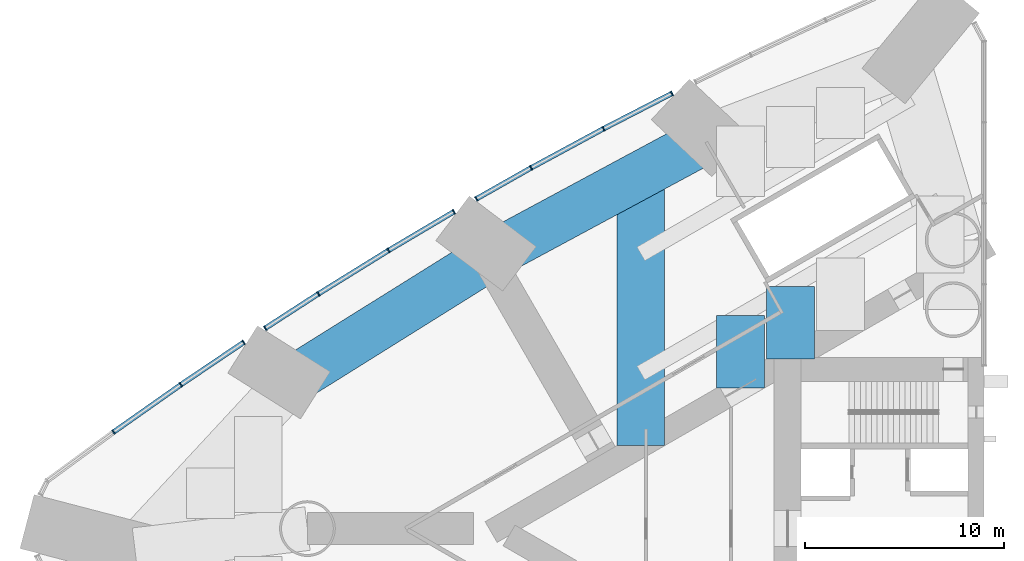
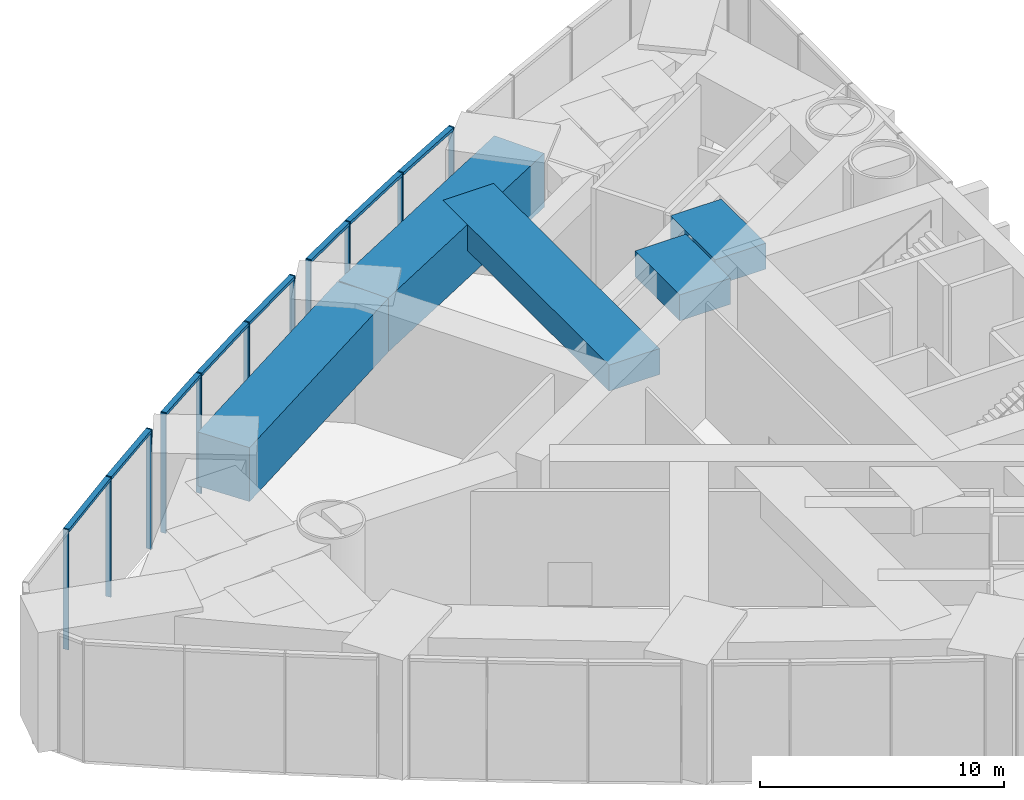
# One storey, part 5 of 18: 19 members, 5 beams, 3 elements without a shape of their own.
"""IFC4 building model written with IfcOpenShell, lengths in metres."""

from ifc_helpers import new_model, si_unit, direction, frame, origin, origin_2d, place, context, subcontext, project, spatial, rectangle, extrude, material, material_profile, profile_set, type_object, element, aggregate, save


model = new_model("IFC4")

# Units and contexts
model_context = context("Model", 3, precision=1e-05, world=origin(), true_north=direction((0.0, 1.0)))
body_context = subcontext(model_context, "Body", "Model", "MODEL_VIEW")
ifc_project = project(units=[si_unit("LENGTHUNIT", "METRE"), si_unit("AREAUNIT", "SQUARE_METRE"), si_unit("VOLUMEUNIT", "CUBIC_METRE"), si_unit("PLANEANGLEUNIT", "RADIAN"), si_unit("MASSUNIT", "GRAM", prefix="KILO")], contexts=[model_context])

# Site, building, storey
site_placement = place(None, origin())
site = spatial("IfcSite", under=ifc_project, at=site_placement, CompositionType="ELEMENT")
building_placement = place(site_placement, origin())
building = spatial("IfcBuilding", under=site, at=building_placement, Name="Lancet Gate Hotel", CompositionType="ELEMENT")
storey_placement = place(building_placement, frame((0.0, 0.0, 81.0)))
storey = spatial("IfcBuildingStorey", under=building, at=storey_placement, Name="L21", CompositionType="ELEMENT", Elevation=81.0)

# Curtain wall, members
ifc_material_1 = material(Name="Aluminium curtain wall", Category="aluminium")
curtain_wall_type = type_object("IfcCurtainWallType", Name="Refuge storey louvred curtain wall", PredefinedType="USERDEFINED", material=ifc_material_1)
curtain_wall_1_placement = place(storey_placement, origin())
curtain_wall_1 = element("IfcCurtainWall", 1, at=curtain_wall_1_placement, inside=storey, type_object=curtain_wall_type, Name="T1 L21 curtain wall 3", ObjectType="LANTERN GLAZING", PredefinedType="USERDEFINED")
ifc_material_2 = material(Name="Aluminium mullion", Category="aluminium")
ifc_material_profile_1 = material_profile(ifc_material_2, rectangle(XDim=0.06494140625, YDim=0.25, at=origin_2d()), Name="MULLION 65x250")
ifc_profile_set_1 = profile_set([ifc_material_profile_1], Name="Aluminium mullion")
member_type_1 = type_object("IfcMemberType", Name="Aluminium mullion 65x250", PredefinedType="MULLION", material=ifc_profile_set_1)
member_1_placement = place(storey_placement, frame((-43.188232421875, 21.864990234375, 0.0), z_axis=(0.0, 0.0, 1.0), x_axis=(-0.888844019644, -0.458209895946, 0.0)))
member_1 = element("IfcMember", 2, at=member_1_placement, type_object=member_type_1, Name="T1 L21 curtain wall 3 mullion 1", PredefinedType="MULLION", context=body_context, shape_type="SweptSolid", body=[
    extrude(rectangle(XDim=0.06494140625, YDim=0.25, at=origin_2d()), origin(), (0.0, 0.0, 1.0), 6.0),
])
member_2_placement = place(storey_placement, frame((-46.6220703125, 20.094970703125, 0.0), z_axis=(0.0, 0.0, 1.0), x_axis=(-0.884152609717, -0.467198204974, 0.0)))
member_2 = element("IfcMember", 3, at=member_2_placement, type_object=member_type_1, Name="T1 L21 curtain wall 3 mullion 2", PredefinedType="MULLION", context=body_context, shape_type="SweptSolid", body=[
    extrude(rectangle(XDim=0.06494140625, YDim=0.25, at=origin_2d()), origin(), (0.0, 0.0, 1.0), 6.0),
])
member_3_placement = place(storey_placement, frame((-50.26416015625, 18.1259765625, 0.0), z_axis=(0.0, 0.0, 1.0), x_axis=(-0.875625106041, -0.482991380534, 0.0)))
member_3 = element("IfcMember", 4, at=member_3_placement, type_object=member_type_1, Name="T1 L21 curtain wall 3 mullion 3", PredefinedType="MULLION", context=body_context, shape_type="SweptSolid", body=[
    extrude(rectangle(XDim=0.06494140625, YDim=0.25, at=origin_2d()), origin(), (0.0, 0.0, 1.0), 6.0),
])
member_4_placement = place(storey_placement, frame((-53.0166015625, 16.567626953125, 0.0), z_axis=(0.0, 0.0, 1.0), x_axis=(-0.870204720871, -0.492690312238, 0.0)))
member_4 = element("IfcMember", 5, at=member_4_placement, type_object=member_type_1, Name="T1 L21 curtain wall 3 mullion 4", PredefinedType="MULLION", context=body_context, shape_type="SweptSolid", body=[
    extrude(rectangle(XDim=0.06494140625, YDim=0.25, at=origin_2d()), origin(), (0.0, 0.0, 1.0), 6.0),
])

curtain_wall_2_placement = place(storey_placement, origin())
curtain_wall_2 = element("IfcCurtainWall", 6, at=curtain_wall_2_placement, inside=storey, type_object=curtain_wall_type, Name="T1 L21 curtain wall 4", ObjectType="LANTERN GLAZING", PredefinedType="USERDEFINED")
member_5_placement = place(storey_placement, frame((-54.138916015625, 15.925048828125, 0.0), z_axis=(0.0, 0.0, 1.0), x_axis=(-0.860381857795, -0.509649937484, 0.0)))
member_5 = element("IfcMember", 7, at=member_5_placement, type_object=member_type_1, Name="T1 L21 curtain wall 4 mullion 1", PredefinedType="MULLION", context=body_context, shape_type="SweptSolid", body=[
    extrude(rectangle(XDim=0.06494140625, YDim=0.25, at=origin_2d()), origin(), (0.0, 0.0, 1.0), 6.0),
])
member_6_placement = place(storey_placement, frame((-57.42919921875, 13.97607421875, 0.0), z_axis=(0.0, 0.0, 1.0), x_axis=(-0.855144689417, -0.51838939048, 0.0)))
member_6 = element("IfcMember", 8, at=member_6_placement, type_object=member_type_1, Name="T1 L21 curtain wall 4 mullion 2", PredefinedType="MULLION", context=body_context, shape_type="SweptSolid", body=[
    extrude(rectangle(XDim=0.06494140625, YDim=0.25, at=origin_2d()), origin(), (0.0, 0.0, 1.0), 6.0),
])
member_7_placement = place(storey_placement, frame((-60.949462890625, 11.796630859375, 0.0), z_axis=(0.0, 0.0, 1.0), x_axis=(-0.845709326915, -0.533643827256, 0.0)))
member_7 = element("IfcMember", 9, at=member_7_placement, type_object=member_type_1, Name="T1 L21 curtain wall 4 mullion 3", PredefinedType="MULLION", context=body_context, shape_type="SweptSolid", body=[
    extrude(rectangle(XDim=0.06494140625, YDim=0.25, at=origin_2d()), origin(), (0.0, 0.0, 1.0), 6.0),
])
member_8_placement = place(storey_placement, frame((-63.62646484375, 10.065673828125, 0.0), z_axis=(0.0, 0.0, 1.0), x_axis=(-0.839748568448, -0.54297545229, 0.0)))
member_8 = element("IfcMember", 10, at=member_8_placement, type_object=member_type_1, Name="T1 L21 curtain wall 4 mullion 4", PredefinedType="MULLION", context=body_context, shape_type="SweptSolid", body=[
    extrude(rectangle(XDim=0.06494140625, YDim=0.25, at=origin_2d()), origin(), (0.0, 0.0, 1.0), 6.0),
])

curtain_wall_3_placement = place(storey_placement, origin())
curtain_wall_3 = element("IfcCurtainWall", 11, at=curtain_wall_3_placement, inside=storey, type_object=curtain_wall_type, Name="T1 L21 curtain wall 5", ObjectType="LANTERN GLAZING", PredefinedType="USERDEFINED")
member_9_placement = place(storey_placement, frame((-64.7041015625, 9.361083984375, 0.0), z_axis=(0.0, 0.0, 1.0), x_axis=(-0.828946067803, -0.559328540907, 0.0)))
member_9 = element("IfcMember", 12, at=member_9_placement, type_object=member_type_1, Name="T1 L21 curtain wall 5 mullion 1", PredefinedType="MULLION", context=body_context, shape_type="SweptSolid", body=[
    extrude(rectangle(XDim=0.06494140625, YDim=0.25, at=origin_2d()), origin(), (0.0, 0.0, 1.0), 6.0),
])
member_10_placement = place(storey_placement, frame((-67.858154296875, 7.232666015625, 0.0), z_axis=(0.0, 0.0, 1.0), x_axis=(-0.823190540814, -0.567765209848, 0.0)))
member_10 = element("IfcMember", 13, at=member_10_placement, type_object=member_type_1, Name="T1 L21 curtain wall 5 mullion 2", PredefinedType="MULLION", context=body_context, shape_type="SweptSolid", body=[
    extrude(rectangle(XDim=0.06494140625, YDim=0.25, at=origin_2d()), origin(), (0.0, 0.0, 1.0), 6.0),
])
member_11_placement = place(storey_placement, frame((-71.244384765625, 4.85009765625, 0.0), z_axis=(0.0, 0.0, 1.0), x_axis=(-0.812146623168, -0.583453393578, 0.0)))
member_11 = element("IfcMember", 14, at=member_11_placement, type_object=member_type_1, Name="T1 L21 curtain wall 5 mullion 3", PredefinedType="MULLION", context=body_context, shape_type="SweptSolid", body=[
    extrude(rectangle(XDim=0.06494140625, YDim=0.25, at=origin_2d()), origin(), (0.0, 0.0, 1.0), 6.0),
])

# Member
ifc_material_3 = material(Name="Aluminium transom", Category="aluminium")
ifc_material_profile_2 = material_profile(ifc_material_3, rectangle(XDim=0.25, YDim=0.14990234375, at=origin_2d()), Name="TRANSOM 250x150")
ifc_profile_set_2 = profile_set([ifc_material_profile_2], Name="Aluminium transom")
member_type_2 = type_object("IfcMemberType", Name="Aluminium transom 250x150", PredefinedType="USERDEFINED", material=ifc_profile_set_2)
member_12_placement = place(storey_placement, frame((-43.21728515625, 21.85009765625, 5.925048828125), z_axis=(-0.888843667926, -0.458210578215, 0.0), x_axis=(0.458210578215, -0.888843667926, 0.0)))
member_12 = element("IfcMember", 15, at=member_12_placement, type_object=member_type_2, Name="T1 L21 curtain wall 3 transom 1", ObjectType="TRANSOM", PredefinedType="USERDEFINED", context=body_context, shape_type="SweptSolid", body=[
    extrude(rectangle(XDim=0.25, YDim=0.14990234375, at=origin_2d()), origin(), (0.0, 0.0, 1.0), 3.7978515625),
])

member_13_placement = place(storey_placement, frame((-46.650634765625, 20.079345703125, 5.925048828125), z_axis=(-0.87971396408, -0.475503250675, 0.0), x_axis=(0.475503250675, -0.87971396408, 0.0)))
member_13 = element("IfcMember", 16, at=member_13_placement, type_object=member_type_2, Name="T1 L21 curtain wall 3 transom 2", ObjectType="TRANSOM", PredefinedType="USERDEFINED", context=body_context, shape_type="SweptSolid", body=[
    extrude(rectangle(XDim=0.25, YDim=0.14990234375, at=origin_2d()), origin(), (0.0, 0.0, 1.0), 4.0751953125),
])

member_14_placement = place(storey_placement, frame((-50.29248046875, 18.110107421875, 5.925048828125), z_axis=(-0.870195654923, -0.49270632445, 0.0), x_axis=(0.49270632445, -0.870195654923, 0.0)))
member_14 = element("IfcMember", 17, at=member_14_placement, type_object=member_type_2, Name="T1 L21 curtain wall 3 transom 3", ObjectType="TRANSOM", PredefinedType="USERDEFINED", context=body_context, shape_type="SweptSolid", body=[
    extrude(rectangle(XDim=0.25, YDim=0.14990234375, at=origin_2d()), origin(), (0.0, 0.0, 1.0), 3.097900390625),
])

aggregate(curtain_wall_1, [member_1, member_2, member_3, member_4, member_12, member_13, member_14])

member_15_placement = place(storey_placement, frame((-54.1669921875, 15.908447265625, 5.925048828125), z_axis=(-0.860395955611, -0.509626137053, 0.0), x_axis=(0.509626137053, -0.860395955611, 0.0)))
member_15 = element("IfcMember", 18, at=member_15_placement, type_object=member_type_2, Name="T1 L21 curtain wall 4 transom 1", ObjectType="TRANSOM", PredefinedType="USERDEFINED", context=body_context, shape_type="SweptSolid", body=[
    extrude(rectangle(XDim=0.25, YDim=0.14990234375, at=origin_2d()), origin(), (0.0, 0.0, 1.0), 3.75927734375),
])

member_16_placement = place(storey_placement, frame((-57.456787109375, 13.958984375, 5.925048828125), z_axis=(-0.850242165643, -0.526391736032, 0.0), x_axis=(0.526391736032, -0.850242165643, 0.0)))
member_16 = element("IfcMember", 19, at=member_16_placement, type_object=member_type_2, Name="T1 L21 curtain wall 4 transom 2", ObjectType="TRANSOM", PredefinedType="USERDEFINED", context=body_context, shape_type="SweptSolid", body=[
    extrude(rectangle(XDim=0.25, YDim=0.14990234375, at=origin_2d()), origin(), (0.0, 0.0, 1.0), 4.075439453125),
])

member_17_placement = place(storey_placement, frame((-60.976806640625, 11.779052734375, 5.925048828125), z_axis=(-0.839737903766, -0.542991945593, 0.0), x_axis=(0.542991945593, -0.839737903766, 0.0)))
member_17 = element("IfcMember", 20, at=member_17_placement, type_object=member_type_2, Name="T1 L21 curtain wall 4 transom 3", ObjectType="TRANSOM", PredefinedType="USERDEFINED", context=body_context, shape_type="SweptSolid", body=[
    extrude(rectangle(XDim=0.25, YDim=0.14990234375, at=origin_2d()), origin(), (0.0, 0.0, 1.0), 3.123046875),
])

aggregate(curtain_wall_2, [member_5, member_6, member_7, member_8, member_15, member_16, member_17])

member_18_placement = place(storey_placement, frame((-64.73095703125, 9.343017578125, 5.925048828125), z_axis=(-0.828934175642, -0.559346165137, 0.0), x_axis=(0.559346165137, -0.828934175642, 0.0)))
member_18 = element("IfcMember", 21, at=member_18_placement, type_object=member_type_2, Name="T1 L21 curtain wall 5 transom 1", ObjectType="TRANSOM", PredefinedType="USERDEFINED", context=body_context, shape_type="SweptSolid", body=[
    extrude(rectangle(XDim=0.25, YDim=0.14990234375, at=origin_2d()), origin(), (0.0, 0.0, 1.0), 3.740234375),
])

member_19_placement = place(storey_placement, frame((-67.884765625, 7.214111328125, 5.925048828125), z_axis=(-0.817833568345, -0.57545482402, 0.0), x_axis=(0.57545482402, -0.817833568345, 0.0)))
member_19 = element("IfcMember", 22, at=member_19_placement, type_object=member_type_2, Name="T1 L21 curtain wall 5 transom 2", ObjectType="TRANSOM", PredefinedType="USERDEFINED", context=body_context, shape_type="SweptSolid", body=[
    extrude(rectangle(XDim=0.25, YDim=0.14990234375, at=origin_2d()), origin(), (0.0, 0.0, 1.0), 4.075439453125),
])

aggregate(curtain_wall_3, [member_9, member_10, member_11, member_18, member_19])

# Beams
ifc_material_4 = material(Name="Concrete C50/60", Category="concrete")
ifc_material_profile_3 = material_profile(ifc_material_4, rectangle(XDim=2.39990234375, YDim=1.300048828125, at=origin_2d()), Name="RC 2400x1300")
ifc_profile_set_3 = profile_set([ifc_material_profile_3], Name="Concrete C50/60")
beam_type_1 = type_object("IfcBeamType", Name="Floor beam RC 2400x1300", PredefinedType="BEAM", material=ifc_profile_set_3)
beam_1_placement = place(storey_placement, frame((-44.747802734375, 17.77978515625, 5.10009765625), z_axis=(0.0, -1.0, 0.0), x_axis=(1.0, 0.0, 0.0)))
element("IfcBeam", 23, at=beam_1_placement, inside=storey, type_object=beam_type_1, Name="T1 floor beam F09S L21", PredefinedType="BEAM", context=body_context, shape_type="SweptSolid", body=[
    extrude(rectangle(XDim=2.39990234375, YDim=1.300048828125, at=origin_2d()), origin(), (0.0, 0.0, 1.0), 13.611083984375),
])
beam_2_placement = place(storey_placement, frame((-37.227294921875, 12.15625, 5.10009765625), z_axis=(0.0, -1.0, 0.0), x_axis=(1.0, 0.0, 0.0)))
element("IfcBeam", 24, at=beam_2_placement, inside=storey, type_object=beam_type_1, Name="T1 floor beam F05SB L21", PredefinedType="BEAM", context=body_context, shape_type="SweptSolid", body=[
    extrude(rectangle(XDim=2.39990234375, YDim=1.300048828125, at=origin_2d()), origin(), (0.0, 0.0, 1.0), 3.6455078125),
])
beam_3_placement = place(storey_placement, frame((-39.734130859375, 10.708740234375, 5.10009765625), z_axis=(0.0, -1.0, 0.0), x_axis=(1.0, 0.0, 0.0)))
element("IfcBeam", 25, at=beam_3_placement, inside=storey, type_object=beam_type_1, Name="T1 floor beam F07SB L21", PredefinedType="BEAM", context=body_context, shape_type="SweptSolid", body=[
    extrude(rectangle(XDim=2.39990234375, YDim=1.300048828125, at=origin_2d()), origin(), (0.0, 0.0, 1.0), 3.645263671875),
])
ifc_material_5 = material(Name="Concrete C50/60", Category="concrete")
ifc_material_profile_4 = material_profile(ifc_material_5, rectangle(XDim=2.39990234375, YDim=2.699951171875, at=origin_2d()), Name="RC 2400x2700")
ifc_profile_set_4 = profile_set([ifc_material_profile_4], Name="Concrete C50/60")
beam_type_2 = type_object("IfcBeamType", Name="Tie ring beam RC 2400x2700", PredefinedType="SPANDREL", material=ifc_profile_set_4)
for number, where, z_axis, x_axis, name in (
    (26, (-41.244873046875, 19.665771484375, 4.39990234375), (-0.880492350889, -0.474060354835, 0.0), (0.474060354835, -0.880492350889, 0.0), "T1 tie ring beam RG3 L21"),
    (27, (-51.963134765625, 13.89501953125, 4.39990234375), (-0.848062521637, -0.529896177939, 0.0), (0.529896177939, -0.848062521637, 0.0), "T1 tie ring beam RG3 L21"),
):
    element("IfcBeam", number, at=place(storey_placement, frame(where, z_axis=z_axis, x_axis=x_axis)), inside=storey, type_object=beam_type_2, Name=name, PredefinedType="SPANDREL", context=body_context, shape_type="SweptSolid", body=[
        extrude(rectangle(XDim=2.39990234375, YDim=2.699951171875, at=origin_2d()), origin(), (0.0, 0.0, 1.0), 12.173095703125),
    ])

save(model, "model.ifc")
